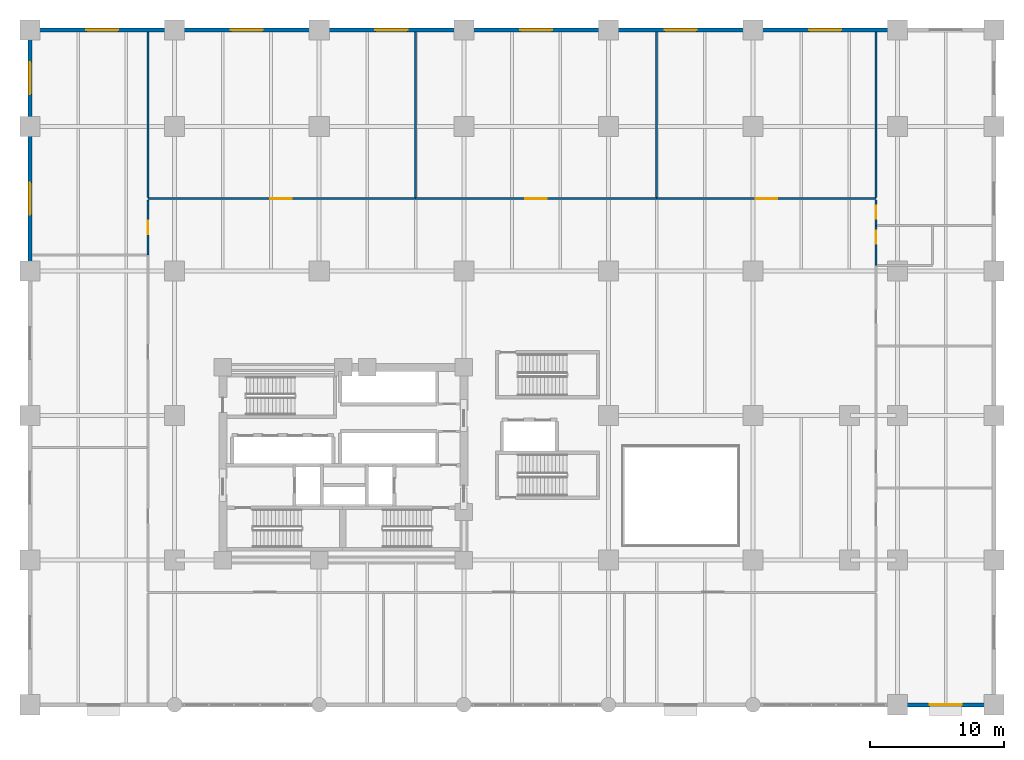
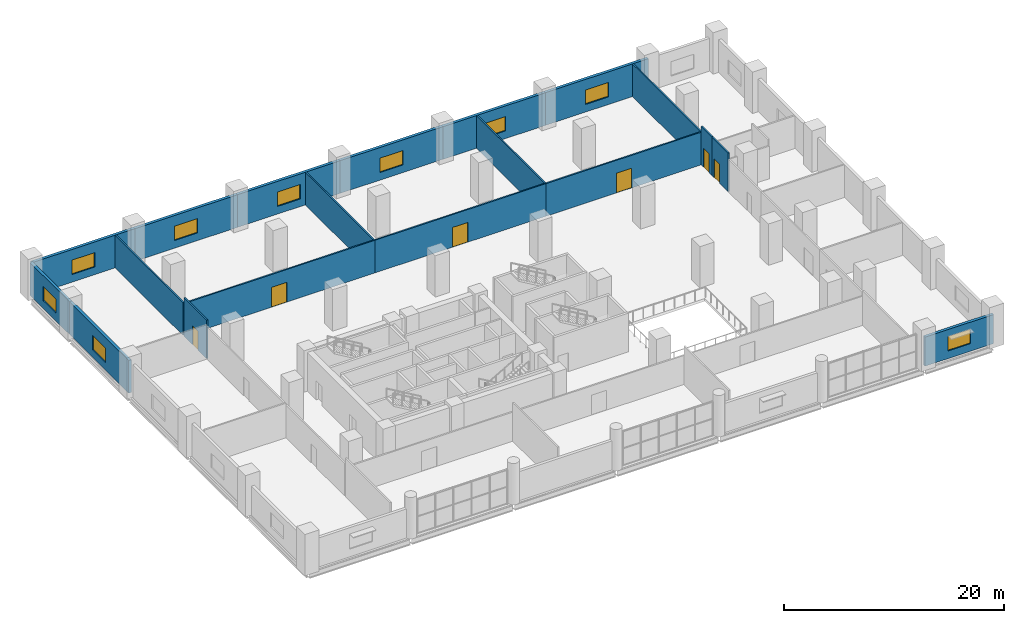
# One storey, part 12 of 16: 19 walls, 9 windows, 6 doors, 15 openings.
"""IFC4 building model written with IfcOpenShell, lengths in metres."""

from ifc_helpers import new_model, si_unit, direction, frame, frame_2d, origin, place, context, subcontext, project, spatial, rectangle, extrude, material, layer, layer_set, type_object, element, fill, save


model = new_model("IFC4")

# Units and contexts
model_context = context("Model", 3, precision=1e-05, world=origin(), true_north=direction((0.0, 1.0)))
body_context = subcontext(model_context, "Body", "Model", "MODEL_VIEW")
ifc_project = project(units=[si_unit("LENGTHUNIT", "METRE"), si_unit("AREAUNIT", "SQUARE_METRE"), si_unit("VOLUMEUNIT", "CUBIC_METRE"), si_unit("PLANEANGLEUNIT", "RADIAN"), si_unit("MASSUNIT", "GRAM", prefix="KILO")], contexts=[model_context])

# Site, building, storey
site_placement = place(None, origin())
site = spatial("IfcSite", under=ifc_project, at=site_placement, CompositionType="ELEMENT")
building_placement = place(site_placement, origin())
building = spatial("IfcBuilding", under=site, at=building_placement, Name="Solnavia Interchange Tower", CompositionType="ELEMENT")
storey_placement = place(building_placement, frame((0.0, 0.0, 10.199951171875)))
storey = spatial("IfcBuildingStorey", under=building, at=storey_placement, Name="L02", CompositionType="ELEMENT", Elevation=10.199951171875)

# Wall, opening, window
ifc_material_1 = material(Name="Concrete C40/50", Category="concrete")
ifc_layer_1 = layer(ifc_material_1, 0.300048828125)
ifc_layer_set_1 = layer_set([ifc_layer_1], Name="Concrete C40/50")
wall_type_1 = type_object("IfcWallType", Name="Wall-ExtSpandrel-300", PredefinedType="STANDARD", material=ifc_layer_set_1)
wall_1_placement = place(storey_placement, frame((72.0, 0.0, 0.0), z_axis=(0.0, 0.0, 1.0), x_axis=(-1.0, 0.0, 0.0)))
wall_1 = element("IfcWall", 1, at=wall_1_placement, inside=storey, type_object=wall_type_1, Name="EXW-L02-S07 South podium wall", PredefinedType="STANDARD", context=body_context, shape_type="SweptSolid", body=[
    extrude(rectangle(XDim=7.199951171875, YDim=0.300048828125, at=frame_2d((3.60009765625, 0.0))), origin(), (0.0, 0.0, 1.0), 3.22998046875),
])
opening_1_placement = place(wall_1_placement, frame((2.39990234375, 0.0, 0.85009765625)))
opening_1 = element("IfcOpeningElement", 2, at=opening_1_placement, cuts=wall_1, Name="Opening WIN-06", PredefinedType="OPENING", context=body_context, shape_type="SweptSolid", body=[
    extrude(rectangle(XDim=2.39990234375, YDim=1.60009765625, at=frame_2d((1.199951171875, 0.800048828125))), frame((0.0, 0.16015625, 0.0), z_axis=(0.0, -1.0, 0.0), x_axis=(1.0, 0.0, 0.0)), (0.0, 0.0, 1.0), 0.320068359375),
])
ifc_material_2 = material(Name="Thermal-Break Aluminium & Low-E Glass", Category="aluminium")
window_type = type_object("IfcWindowType", Name="Window-Podium-2400x1600", PartitioningType="SINGLE_PANEL", PredefinedType="WINDOW", material=ifc_material_2)
window_1_placement = place(opening_1_placement, origin())
window_1 = element("IfcWindow", 3, at=window_1_placement, inside=storey, type_object=window_type, Name="WIN-L02-S07 South podium window", OverallHeight=1.60009765625, OverallWidth=2.39990234375, PartitioningType="SINGLE_PANEL", PredefinedType="WINDOW", context=body_context, shape_type="SweptSolid", body=[
    extrude(rectangle(XDim=2.39990234375, YDim=1.60009765625, at=frame_2d((1.199951171875, 0.800048828125))), frame((0.0, 0.030029296875, 0.0), z_axis=(0.0, -1.0, 0.0), x_axis=(1.0, 0.0, 0.0)), (0.0, 0.0, 1.0), 0.06005859375),
])
fill(opening_1, window_1)

wall_2_placement = place(storey_placement, frame((0.0, 50.39990234375, 0.0), z_axis=(0.0, 0.0, 1.0), x_axis=(1.0, 0.0, 0.0)))
wall_2 = element("IfcWall", 4, at=wall_2_placement, inside=storey, type_object=wall_type_1, Name="EXW-L02-N01 North podium wall", PredefinedType="STANDARD", context=body_context, shape_type="SweptSolid", body=[
    extrude(rectangle(XDim=10.800048828125, YDim=0.300048828125, at=frame_2d((5.39990234375, 0.0))), origin(), (0.0, 0.0, 1.0), 3.630126953125),
])
opening_2_placement = place(wall_2_placement, frame((4.199951171875, 0.0, 0.85009765625)))
opening_2 = element("IfcOpeningElement", 5, at=opening_2_placement, cuts=wall_2, Name="Opening WIN-06", PredefinedType="OPENING", context=body_context, shape_type="SweptSolid", body=[
    extrude(rectangle(XDim=2.39990234375, YDim=1.60009765625, at=frame_2d((1.199951171875, 0.800048828125))), frame((0.0, 0.16015625, 0.0), z_axis=(0.0, -1.0, 0.0), x_axis=(1.0, 0.0, 0.0)), (0.0, 0.0, 1.0), 0.320068359375),
])
window_2_placement = place(opening_2_placement, origin())
window_2 = element("IfcWindow", 6, at=window_2_placement, inside=storey, type_object=window_type, Name="WIN-L02-N01 North podium window", OverallHeight=1.60009765625, OverallWidth=2.39990234375, PartitioningType="SINGLE_PANEL", PredefinedType="WINDOW", context=body_context, shape_type="SweptSolid", body=[
    extrude(rectangle(XDim=2.39990234375, YDim=1.60009765625, at=frame_2d((1.199951171875, 0.800048828125))), frame((0.0, 0.030029296875, 0.0), z_axis=(0.0, -1.0, 0.0), x_axis=(1.0, 0.0, 0.0)), (0.0, 0.0, 1.0), 0.06005859375),
])
fill(opening_2, window_2)

wall_3_placement = place(storey_placement, frame((10.800048828125, 50.39990234375, 0.0), z_axis=(0.0, 0.0, 1.0), x_axis=(1.0, 0.0, 0.0)))
wall_3 = element("IfcWall", 7, at=wall_3_placement, inside=storey, type_object=wall_type_1, Name="EXW-L02-N02 North podium wall", PredefinedType="STANDARD", context=body_context, shape_type="SweptSolid", body=[
    extrude(rectangle(XDim=10.800048828125, YDim=0.300048828125, at=frame_2d((5.39990234375, 0.0))), origin(), (0.0, 0.0, 1.0), 3.630126953125),
])
opening_3_placement = place(wall_3_placement, frame((4.199951171875, 0.0, 0.85009765625)))
opening_3 = element("IfcOpeningElement", 8, at=opening_3_placement, cuts=wall_3, Name="Opening WIN-06", PredefinedType="OPENING", context=body_context, shape_type="SweptSolid", body=[
    extrude(rectangle(XDim=2.39990234375, YDim=1.60009765625, at=frame_2d((1.199951171875, 0.800048828125))), frame((0.0, 0.16015625, 0.0), z_axis=(0.0, -1.0, 0.0), x_axis=(1.0, 0.0, 0.0)), (0.0, 0.0, 1.0), 0.320068359375),
])
window_3_placement = place(opening_3_placement, origin())
window_3 = element("IfcWindow", 9, at=window_3_placement, inside=storey, type_object=window_type, Name="WIN-L02-N02 North podium window", OverallHeight=1.60009765625, OverallWidth=2.39990234375, PartitioningType="SINGLE_PANEL", PredefinedType="WINDOW", context=body_context, shape_type="SweptSolid", body=[
    extrude(rectangle(XDim=2.39990234375, YDim=1.60009765625, at=frame_2d((1.199951171875, 0.800048828125))), frame((0.0, 0.030029296875, 0.0), z_axis=(0.0, -1.0, 0.0), x_axis=(1.0, 0.0, 0.0)), (0.0, 0.0, 1.0), 0.06005859375),
])
fill(opening_3, window_3)

wall_4_placement = place(storey_placement, frame((21.60009765625, 50.39990234375, 0.0), z_axis=(0.0, 0.0, 1.0), x_axis=(1.0, 0.0, 0.0)))
wall_4 = element("IfcWall", 10, at=wall_4_placement, inside=storey, type_object=wall_type_1, Name="EXW-L02-N03 North podium wall", PredefinedType="STANDARD", context=body_context, shape_type="SweptSolid", body=[
    extrude(rectangle(XDim=10.7998046875, YDim=0.300048828125, at=frame_2d((5.39990234375, 0.0))), origin(), (0.0, 0.0, 1.0), 3.630126953125),
])
opening_4_placement = place(wall_4_placement, frame((4.199951171875, 0.0, 0.85009765625)))
opening_4 = element("IfcOpeningElement", 11, at=opening_4_placement, cuts=wall_4, Name="Opening WIN-06", PredefinedType="OPENING", context=body_context, shape_type="SweptSolid", body=[
    extrude(rectangle(XDim=2.39990234375, YDim=1.60009765625, at=frame_2d((1.199951171875, 0.800048828125))), frame((0.0, 0.16015625, 0.0), z_axis=(0.0, -1.0, 0.0), x_axis=(1.0, 0.0, 0.0)), (0.0, 0.0, 1.0), 0.320068359375),
])
window_4_placement = place(opening_4_placement, origin())
window_4 = element("IfcWindow", 12, at=window_4_placement, inside=storey, type_object=window_type, Name="WIN-L02-N03 North podium window", OverallHeight=1.60009765625, OverallWidth=2.39990234375, PartitioningType="SINGLE_PANEL", PredefinedType="WINDOW", context=body_context, shape_type="SweptSolid", body=[
    extrude(rectangle(XDim=2.39990234375, YDim=1.60009765625, at=frame_2d((1.199951171875, 0.800048828125))), frame((0.0, 0.030029296875, 0.0), z_axis=(0.0, -1.0, 0.0), x_axis=(1.0, 0.0, 0.0)), (0.0, 0.0, 1.0), 0.06005859375),
])
fill(opening_4, window_4)

wall_5_placement = place(storey_placement, frame((32.39990234375, 50.39990234375, 0.0), z_axis=(0.0, 0.0, 1.0), x_axis=(1.0, 0.0, 0.0)))
wall_5 = element("IfcWall", 13, at=wall_5_placement, inside=storey, type_object=wall_type_1, Name="EXW-L02-N04 North podium wall", PredefinedType="STANDARD", context=body_context, shape_type="SweptSolid", body=[
    extrude(rectangle(XDim=10.800048828125, YDim=0.300048828125, at=frame_2d((5.39990234375, 0.0))), origin(), (0.0, 0.0, 1.0), 3.630126953125),
])
opening_5_placement = place(wall_5_placement, frame((4.199951171875, 0.0, 0.85009765625)))
opening_5 = element("IfcOpeningElement", 14, at=opening_5_placement, cuts=wall_5, Name="Opening WIN-06", PredefinedType="OPENING", context=body_context, shape_type="SweptSolid", body=[
    extrude(rectangle(XDim=2.39990234375, YDim=1.60009765625, at=frame_2d((1.199951171875, 0.800048828125))), frame((0.0, 0.16015625, 0.0), z_axis=(0.0, -1.0, 0.0), x_axis=(1.0, 0.0, 0.0)), (0.0, 0.0, 1.0), 0.320068359375),
])
window_5_placement = place(opening_5_placement, origin())
window_5 = element("IfcWindow", 15, at=window_5_placement, inside=storey, type_object=window_type, Name="WIN-L02-N04 North podium window", OverallHeight=1.60009765625, OverallWidth=2.39990234375, PartitioningType="SINGLE_PANEL", PredefinedType="WINDOW", context=body_context, shape_type="SweptSolid", body=[
    extrude(rectangle(XDim=2.39990234375, YDim=1.60009765625, at=frame_2d((1.199951171875, 0.800048828125))), frame((0.0, 0.030029296875, 0.0), z_axis=(0.0, -1.0, 0.0), x_axis=(1.0, 0.0, 0.0)), (0.0, 0.0, 1.0), 0.06005859375),
])
fill(opening_5, window_5)

wall_6_placement = place(storey_placement, frame((43.199951171875, 50.39990234375, 0.0), z_axis=(0.0, 0.0, 1.0), x_axis=(1.0, 0.0, 0.0)))
wall_6 = element("IfcWall", 16, at=wall_6_placement, inside=storey, type_object=wall_type_1, Name="EXW-L02-N05 North podium wall", PredefinedType="STANDARD", context=body_context, shape_type="SweptSolid", body=[
    extrude(rectangle(XDim=10.800048828125, YDim=0.300048828125, at=frame_2d((5.39990234375, 0.0))), origin(), (0.0, 0.0, 1.0), 3.630126953125),
])
opening_6_placement = place(wall_6_placement, frame((4.199951171875, 0.0, 0.85009765625)))
opening_6 = element("IfcOpeningElement", 17, at=opening_6_placement, cuts=wall_6, Name="Opening WIN-06", PredefinedType="OPENING", context=body_context, shape_type="SweptSolid", body=[
    extrude(rectangle(XDim=2.39990234375, YDim=1.60009765625, at=frame_2d((1.199951171875, 0.800048828125))), frame((0.0, 0.16015625, 0.0), z_axis=(0.0, -1.0, 0.0), x_axis=(1.0, 0.0, 0.0)), (0.0, 0.0, 1.0), 0.320068359375),
])
window_6_placement = place(opening_6_placement, origin())
window_6 = element("IfcWindow", 18, at=window_6_placement, inside=storey, type_object=window_type, Name="WIN-L02-N05 North podium window", OverallHeight=1.60009765625, OverallWidth=2.39990234375, PartitioningType="SINGLE_PANEL", PredefinedType="WINDOW", context=body_context, shape_type="SweptSolid", body=[
    extrude(rectangle(XDim=2.39990234375, YDim=1.60009765625, at=frame_2d((1.199951171875, 0.800048828125))), frame((0.0, 0.030029296875, 0.0), z_axis=(0.0, -1.0, 0.0), x_axis=(1.0, 0.0, 0.0)), (0.0, 0.0, 1.0), 0.06005859375),
])
fill(opening_6, window_6)

wall_7_placement = place(storey_placement, frame((54.0, 50.39990234375, 0.0), z_axis=(0.0, 0.0, 1.0), x_axis=(1.0, 0.0, 0.0)))
wall_7 = element("IfcWall", 19, at=wall_7_placement, inside=storey, type_object=wall_type_1, Name="EXW-L02-N06 North podium wall", PredefinedType="STANDARD", context=body_context, shape_type="SweptSolid", body=[
    extrude(rectangle(XDim=10.800048828125, YDim=0.300048828125, at=frame_2d((5.39990234375, 0.0))), origin(), (0.0, 0.0, 1.0), 3.630126953125),
])
opening_7_placement = place(wall_7_placement, frame((4.199951171875, 0.0, 0.85009765625)))
opening_7 = element("IfcOpeningElement", 20, at=opening_7_placement, cuts=wall_7, Name="Opening WIN-06", PredefinedType="OPENING", context=body_context, shape_type="SweptSolid", body=[
    extrude(rectangle(XDim=2.39990234375, YDim=1.60009765625, at=frame_2d((1.199951171875, 0.800048828125))), frame((0.0, 0.16015625, 0.0), z_axis=(0.0, -1.0, 0.0), x_axis=(1.0, 0.0, 0.0)), (0.0, 0.0, 1.0), 0.320068359375),
])
window_7_placement = place(opening_7_placement, origin())
window_7 = element("IfcWindow", 21, at=window_7_placement, inside=storey, type_object=window_type, Name="WIN-L02-N06 North podium window", OverallHeight=1.60009765625, OverallWidth=2.39990234375, PartitioningType="SINGLE_PANEL", PredefinedType="WINDOW", context=body_context, shape_type="SweptSolid", body=[
    extrude(rectangle(XDim=2.39990234375, YDim=1.60009765625, at=frame_2d((1.199951171875, 0.800048828125))), frame((0.0, 0.030029296875, 0.0), z_axis=(0.0, -1.0, 0.0), x_axis=(1.0, 0.0, 0.0)), (0.0, 0.0, 1.0), 0.06005859375),
])
fill(opening_7, window_7)

wall_8_placement = place(storey_placement, frame((0.0, 32.39990234375, 0.0), z_axis=(0.0, 0.0, 1.0), x_axis=(0.0, 1.0, 0.0)))
wall_8 = element("IfcWall", 22, at=wall_8_placement, inside=storey, type_object=wall_type_1, Name="EXW-L02-W04 West podium wall", PredefinedType="STANDARD", context=body_context, shape_type="SweptSolid", body=[
    extrude(rectangle(XDim=10.800048828125, YDim=0.300048828125, at=frame_2d((5.39990234375, 0.0))), origin(), (0.0, 0.0, 1.0), 3.630126953125),
])
opening_8_placement = place(wall_8_placement, frame((4.199951171875, 0.0, 0.85009765625)))
opening_8 = element("IfcOpeningElement", 23, at=opening_8_placement, cuts=wall_8, Name="Opening WIN-06", PredefinedType="OPENING", context=body_context, shape_type="SweptSolid", body=[
    extrude(rectangle(XDim=2.39990234375, YDim=1.60009765625, at=frame_2d((1.199951171875, 0.800048828125))), frame((0.0, 0.16015625, 0.0), z_axis=(0.0, -1.0, 0.0), x_axis=(1.0, 0.0, 0.0)), (0.0, 0.0, 1.0), 0.320068359375),
])
window_8_placement = place(opening_8_placement, origin())
window_8 = element("IfcWindow", 24, at=window_8_placement, inside=storey, type_object=window_type, Name="WIN-L02-W04 West podium window", OverallHeight=1.60009765625, OverallWidth=2.39990234375, PartitioningType="SINGLE_PANEL", PredefinedType="WINDOW", context=body_context, shape_type="SweptSolid", body=[
    extrude(rectangle(XDim=2.39990234375, YDim=1.60009765625, at=frame_2d((1.199951171875, 0.800048828125))), frame((0.0, 0.030029296875, 0.0), z_axis=(0.0, -1.0, 0.0), x_axis=(1.0, 0.0, 0.0)), (0.0, 0.0, 1.0), 0.06005859375),
])
fill(opening_8, window_8)

wall_9_placement = place(storey_placement, frame((0.0, 43.199951171875, 0.0), z_axis=(0.0, 0.0, 1.0), x_axis=(0.0, 1.0, 0.0)))
wall_9 = element("IfcWall", 25, at=wall_9_placement, inside=storey, type_object=wall_type_1, Name="EXW-L02-W05 West podium wall", PredefinedType="STANDARD", context=body_context, shape_type="SweptSolid", body=[
    extrude(rectangle(XDim=7.199951171875, YDim=0.300048828125, at=frame_2d((3.60009765625, 0.0))), origin(), (0.0, 0.0, 1.0), 3.630126953125),
])
opening_9_placement = place(wall_9_placement, frame((2.39990234375, 0.0, 0.85009765625)))
opening_9 = element("IfcOpeningElement", 26, at=opening_9_placement, cuts=wall_9, Name="Opening WIN-06", PredefinedType="OPENING", context=body_context, shape_type="SweptSolid", body=[
    extrude(rectangle(XDim=2.39990234375, YDim=1.60009765625, at=frame_2d((1.199951171875, 0.800048828125))), frame((0.0, 0.16015625, 0.0), z_axis=(0.0, -1.0, 0.0), x_axis=(1.0, 0.0, 0.0)), (0.0, 0.0, 1.0), 0.320068359375),
])
window_9_placement = place(opening_9_placement, origin())
window_9 = element("IfcWindow", 27, at=window_9_placement, inside=storey, type_object=window_type, Name="WIN-L02-W05 West podium window", OverallHeight=1.60009765625, OverallWidth=2.39990234375, PartitioningType="SINGLE_PANEL", PredefinedType="WINDOW", context=body_context, shape_type="SweptSolid", body=[
    extrude(rectangle(XDim=2.39990234375, YDim=1.60009765625, at=frame_2d((1.199951171875, 0.800048828125))), frame((0.0, 0.030029296875, 0.0), z_axis=(0.0, -1.0, 0.0), x_axis=(1.0, 0.0, 0.0)), (0.0, 0.0, 1.0), 0.06005859375),
])
fill(opening_9, window_9)

# Wall, opening, door
ifc_material_3 = material(Name="Gypsum Plasterboard & Steel Stud", Category="steel")
ifc_layer_2 = layer(ifc_material_3, 0.14990234375)
ifc_layer_set_2 = layer_set([ifc_layer_2], Name="Gypsum Plasterboard & Steel Stud")
wall_type_2 = type_object("IfcWallType", Name="Wall-Partition-150", PredefinedType="PARTITIONING", material=ifc_layer_set_2)
wall_10_placement = place(storey_placement, frame((8.800048828125, 37.800048828125, 0.0), z_axis=(0.0, 0.0, 1.0), x_axis=(1.0, 0.0, 0.0)))
wall_10 = element("IfcWall", 28, at=wall_10_placement, inside=storey, type_object=wall_type_2, Name="PTW-L02-06 Interior partition wall", PredefinedType="PARTITIONING", context=body_context, shape_type="SweptSolid", body=[
    extrude(rectangle(XDim=20.0, YDim=0.14990234375, at=frame_2d((10.0, 0.0))), origin(), (0.0, 0.0, 1.0), 3.630126953125),
])
opening_10_placement = place(wall_10_placement, frame((9.159912109375, 0.0, 0.0)))
opening_10 = element("IfcOpeningElement", 29, at=opening_10_placement, cuts=wall_10, Name="Opening DR-08", PredefinedType="OPENING", context=body_context, shape_type="SweptSolid", body=[
    extrude(rectangle(XDim=1.60009765625, YDim=2.199951171875, at=frame_2d((0.800048828125, 1.10009765625))), frame((0.0, 0.0849609375, 0.0), z_axis=(0.0, -1.0, 0.0), x_axis=(1.0, 0.0, 0.0)), (0.0, 0.0, 1.0), 0.169921875),
])
ifc_material_4 = material(Name="Thermally Broken Aluminium & Toughened Glass", Category="aluminium")
door_type_1 = type_object("IfcDoorType", Name="Door-RetailDouble-1600x2200", OperationType="DOUBLE_DOOR_SINGLE_SWING", PredefinedType="DOOR", material=ifc_material_4)
door_1_placement = place(opening_10_placement, origin())
door_1 = element("IfcDoor", 30, at=door_1_placement, inside=storey, type_object=door_type_1, Name="DR-L02-04 Interior room door", OperationType="DOUBLE_DOOR_SINGLE_SWING", OverallHeight=2.199951171875, OverallWidth=1.60009765625, PredefinedType="DOOR", context=body_context, shape_type="SweptSolid", body=[
    extrude(rectangle(XDim=1.60009765625, YDim=2.199951171875, at=frame_2d((0.800048828125, 1.10009765625))), frame((0.0, 0.02490234375, 0.0), z_axis=(0.0, -1.0, 0.0), x_axis=(1.0, 0.0, 0.0)), (0.0, 0.0, 1.0), 0.050048828125),
])
fill(opening_10, door_1)

# Wall
wall_11_placement = place(storey_placement, frame((28.800048828125, 37.87890625, 0.0), z_axis=(0.0, 0.0, 1.0), x_axis=(0.0, 1.0, 0.0)))
element("IfcWall", 31, at=wall_11_placement, inside=storey, type_object=wall_type_2, Name="PTW-L02-07 Interior partition wall", PredefinedType="PARTITIONING", context=body_context, shape_type="SweptSolid", body=[
    extrude(rectangle(XDim=12.3671875, YDim=0.14990234375, at=frame_2d((6.18359375, 0.0))), origin(), (0.0, 0.0, 1.0), 3.630126953125),
])

# Wall, opening, door
wall_12_placement = place(storey_placement, frame((28.800048828125, 37.800048828125, 0.0), z_axis=(0.0, 0.0, 1.0), x_axis=(1.0, 0.0, 0.0)))
wall_12 = element("IfcWall", 32, at=wall_12_placement, inside=storey, type_object=wall_type_2, Name="PTW-L02-08 Interior partition wall", PredefinedType="PARTITIONING", context=body_context, shape_type="SweptSolid", body=[
    extrude(rectangle(XDim=18.0, YDim=0.14990234375, at=frame_2d((9.0, 0.0))), origin(), (0.0, 0.0, 1.0), 3.630126953125),
])
opening_11_placement = place(wall_12_placement, frame((8.199951171875, 0.0, 0.0)))
opening_11 = element("IfcOpeningElement", 33, at=opening_11_placement, cuts=wall_12, Name="Opening DR-08", PredefinedType="OPENING", context=body_context, shape_type="SweptSolid", body=[
    extrude(rectangle(XDim=1.60009765625, YDim=2.199951171875, at=frame_2d((0.800048828125, 1.10009765625))), frame((0.0, 0.0849609375, 0.0), z_axis=(0.0, -1.0, 0.0), x_axis=(1.0, 0.0, 0.0)), (0.0, 0.0, 1.0), 0.169921875),
])
door_2_placement = place(opening_11_placement, origin())
door_2 = element("IfcDoor", 34, at=door_2_placement, inside=storey, type_object=door_type_1, Name="DR-L02-05 Interior room door", OperationType="DOUBLE_DOOR_SINGLE_SWING", OverallHeight=2.199951171875, OverallWidth=1.60009765625, PredefinedType="DOOR", context=body_context, shape_type="SweptSolid", body=[
    extrude(rectangle(XDim=1.60009765625, YDim=2.199951171875, at=frame_2d((0.800048828125, 1.10009765625))), frame((0.0, 0.02490234375, 0.0), z_axis=(0.0, -1.0, 0.0), x_axis=(1.0, 0.0, 0.0)), (0.0, 0.0, 1.0), 0.050048828125),
])
fill(opening_11, door_2)

# Wall
wall_13_placement = place(storey_placement, frame((46.800048828125, 37.87890625, 0.0), z_axis=(0.0, 0.0, 1.0), x_axis=(0.0, 1.0, 0.0)))
element("IfcWall", 35, at=wall_13_placement, inside=storey, type_object=wall_type_2, Name="PTW-L02-09 Interior partition wall", PredefinedType="PARTITIONING", context=body_context, shape_type="SweptSolid", body=[
    extrude(rectangle(XDim=12.3671875, YDim=0.14990234375, at=frame_2d((6.18359375, 0.0))), origin(), (0.0, 0.0, 1.0), 3.630126953125),
])

# Wall, opening, door
wall_14_placement = place(storey_placement, frame((46.800048828125, 37.800048828125, 0.0), z_axis=(0.0, 0.0, 1.0), x_axis=(1.0, 0.0, 0.0)))
wall_14 = element("IfcWall", 36, at=wall_14_placement, inside=storey, type_object=wall_type_2, Name="PTW-L02-10 Interior partition wall", PredefinedType="PARTITIONING", context=body_context, shape_type="SweptSolid", body=[
    extrude(rectangle(XDim=16.39990234375, YDim=0.14990234375, at=frame_2d((8.199951171875, 0.0))), origin(), (0.0, 0.0, 1.0), 3.630126953125),
])
opening_12_placement = place(wall_14_placement, frame((7.39990234375, 0.0, 0.0)))
opening_12 = element("IfcOpeningElement", 37, at=opening_12_placement, cuts=wall_14, Name="Opening DR-08", PredefinedType="OPENING", context=body_context, shape_type="SweptSolid", body=[
    extrude(rectangle(XDim=1.60009765625, YDim=2.199951171875, at=frame_2d((0.800048828125, 1.10009765625))), frame((0.0, 0.0849609375, 0.0), z_axis=(0.0, -1.0, 0.0), x_axis=(1.0, 0.0, 0.0)), (0.0, 0.0, 1.0), 0.169921875),
])
door_3_placement = place(opening_12_placement, origin())
door_3 = element("IfcDoor", 38, at=door_3_placement, inside=storey, type_object=door_type_1, Name="DR-L02-06 Interior room door", OperationType="DOUBLE_DOOR_SINGLE_SWING", OverallHeight=2.199951171875, OverallWidth=1.60009765625, PredefinedType="DOOR", context=body_context, shape_type="SweptSolid", body=[
    extrude(rectangle(XDim=1.60009765625, YDim=2.199951171875, at=frame_2d((0.800048828125, 1.10009765625))), frame((0.0, 0.02490234375, 0.0), z_axis=(0.0, -1.0, 0.0), x_axis=(1.0, 0.0, 0.0)), (0.0, 0.0, 1.0), 0.050048828125),
])
fill(opening_12, door_3)

wall_15_placement = place(storey_placement, frame((8.800048828125, 33.60009765625, 0.0), z_axis=(0.0, 0.0, 1.0), x_axis=(0.0, 1.0, 0.0)))
wall_15 = element("IfcWall", 39, at=wall_15_placement, inside=storey, type_object=wall_type_2, Name="PTW-L02-16 Interior partition wall", PredefinedType="PARTITIONING", context=body_context, shape_type="SweptSolid", body=[
    extrude(rectangle(XDim=4.120849609375, YDim=0.14990234375, at=frame_2d((2.060546875, 0.0))), origin(), (0.0, 0.0, 1.0), 4.28515625),
])
opening_13_placement = place(wall_15_placement, frame((1.56103515625, 0.0, 0.0)))
opening_13 = element("IfcOpeningElement", 40, at=opening_13_placement, cuts=wall_15, Name="Opening DR-07", PredefinedType="OPENING", context=body_context, shape_type="SweptSolid", body=[
    extrude(rectangle(XDim=1.0, YDim=2.10009765625, at=frame_2d((0.5, 1.050048828125))), frame((0.0, 0.0849609375, 0.0), z_axis=(0.0, -1.0, 0.0), x_axis=(1.0, 0.0, 0.0)), (0.0, 0.0, 1.0), 0.169921875),
])
ifc_material_5 = material(Name="Timber & Acoustic Glazed Office Door", Category="wood")
door_type_2 = type_object("IfcDoorType", Name="Door-Office-1000x2100", OperationType="SINGLE_SWING_RIGHT", PredefinedType="DOOR", material=ifc_material_5)
door_4_placement = place(opening_13_placement, origin())
door_4 = element("IfcDoor", 41, at=door_4_placement, inside=storey, type_object=door_type_2, Name="DR-L02-09 Interior room door", OperationType="SINGLE_SWING_LEFT", OverallHeight=2.10009765625, OverallWidth=1.0, PredefinedType="DOOR", context=body_context, shape_type="SweptSolid", body=[
    extrude(rectangle(XDim=1.0, YDim=2.10009765625, at=frame_2d((0.5, 1.050048828125))), frame((0.0, 0.02490234375, 0.0), z_axis=(0.0, -1.0, 0.0), x_axis=(1.0, 0.0, 0.0)), (0.0, 0.0, 1.0), 0.050048828125),
])
fill(opening_13, door_4)

# Wall
wall_16_placement = place(storey_placement, frame((8.800048828125, 37.87890625, 0.0), z_axis=(0.0, 0.0, 1.0), x_axis=(0.0, 1.0, 0.0)))
element("IfcWall", 42, at=wall_16_placement, inside=storey, type_object=wall_type_2, Name="PTW-L02-17 Interior partition wall", PredefinedType="PARTITIONING", context=body_context, shape_type="SweptSolid", body=[
    extrude(rectangle(XDim=12.3671875, YDim=0.14990234375, at=frame_2d((6.18359375, 0.0))), origin(), (0.0, 0.0, 1.0), 3.630126953125),
])

# Wall, opening, door
wall_17_placement = place(storey_placement, frame((63.199951171875, 35.800048828125, 0.0), z_axis=(0.0, 0.0, 1.0), x_axis=(0.0, 1.0, 0.0)))
wall_17 = element("IfcWall", 43, at=wall_17_placement, inside=storey, type_object=wall_type_2, Name="PTW-L02-28 Interior partition wall", PredefinedType="PARTITIONING", context=body_context, shape_type="SweptSolid", body=[
    extrude(rectangle(XDim=1.9208984375, YDim=0.14990234375, at=frame_2d((0.96044921875, 0.0))), origin(), (0.0, 0.0, 1.0), 4.28515625),
])
opening_14_placement = place(wall_17_placement, frame((0.490966796875, 0.0, 0.0)))
opening_14 = element("IfcOpeningElement", 44, at=opening_14_placement, cuts=wall_17, Name="Opening DR-07", PredefinedType="OPENING", context=body_context, shape_type="SweptSolid", body=[
    extrude(rectangle(XDim=1.0, YDim=2.10009765625, at=frame_2d((0.5, 1.050048828125))), frame((0.0, 0.0849609375, 0.0), z_axis=(0.0, -1.0, 0.0), x_axis=(1.0, 0.0, 0.0)), (0.0, 0.0, 1.0), 0.169921875),
])
door_5_placement = place(opening_14_placement, origin())
door_5 = element("IfcDoor", 45, at=door_5_placement, inside=storey, type_object=door_type_2, Name="DR-L02-14 Interior room door", OperationType="SINGLE_SWING_LEFT", OverallHeight=2.10009765625, OverallWidth=1.0, PredefinedType="DOOR", context=body_context, shape_type="SweptSolid", body=[
    extrude(rectangle(XDim=1.0, YDim=2.10009765625, at=frame_2d((0.5, 1.050048828125))), frame((0.0, 0.02490234375, 0.0), z_axis=(0.0, -1.0, 0.0), x_axis=(1.0, 0.0, 0.0)), (0.0, 0.0, 1.0), 0.050048828125),
])
fill(opening_14, door_5)

# Wall
wall_18_placement = place(storey_placement, frame((63.199951171875, 37.87890625, 0.0), z_axis=(0.0, 0.0, 1.0), x_axis=(0.0, 1.0, 0.0)))
element("IfcWall", 46, at=wall_18_placement, inside=storey, type_object=wall_type_2, Name="PTW-L02-29 Interior partition wall", PredefinedType="PARTITIONING", context=body_context, shape_type="SweptSolid", body=[
    extrude(rectangle(XDim=12.3671875, YDim=0.14990234375, at=frame_2d((6.18359375, 0.0))), origin(), (0.0, 0.0, 1.0), 3.630126953125),
])

# Wall, opening, door
ifc_material_6 = material(Name="Moisture-Resistant Gypsum & Steel Stud", Category="steel")
ifc_layer_3 = layer(ifc_material_6, 0.14990234375)
ifc_layer_set_3 = layer_set([ifc_layer_3], Name="Moisture-Resistant Gypsum & Steel Stud")
wall_type_3 = type_object("IfcWallType", Name="Wall-WetRoom-150", PredefinedType="PARTITIONING", material=ifc_layer_set_3)
wall_19_placement = place(storey_placement, frame((63.199951171875, 32.800048828125, 0.0), z_axis=(0.0, 0.0, 1.0), x_axis=(0.0, 1.0, 0.0)))
wall_19 = element("IfcWall", 47, at=wall_19_placement, inside=storey, type_object=wall_type_3, Name="PTW-L02-26 Interior partition wall", PredefinedType="PARTITIONING", context=body_context, shape_type="SweptSolid", body=[
    extrude(rectangle(XDim=3.0, YDim=0.14990234375, at=frame_2d((1.5, 0.0))), origin(), (0.0, 0.0, 1.0), 4.28515625),
])
opening_15_placement = place(wall_19_placement, frame((1.6201171875, 0.0, 0.0)))
opening_15 = element("IfcOpeningElement", 48, at=opening_15_placement, cuts=wall_19, Name="Opening DR-07", PredefinedType="OPENING", context=body_context, shape_type="SweptSolid", body=[
    extrude(rectangle(XDim=1.0, YDim=2.10009765625, at=frame_2d((0.5, 1.050048828125))), frame((0.0, 0.0849609375, 0.0), z_axis=(0.0, -1.0, 0.0), x_axis=(1.0, 0.0, 0.0)), (0.0, 0.0, 1.0), 0.169921875),
])
door_6_placement = place(opening_15_placement, origin())
door_6 = element("IfcDoor", 49, at=door_6_placement, inside=storey, type_object=door_type_2, Name="DR-L02-13 Interior room door", OperationType="SINGLE_SWING_RIGHT", OverallHeight=2.10009765625, OverallWidth=1.0, PredefinedType="DOOR", context=body_context, shape_type="SweptSolid", body=[
    extrude(rectangle(XDim=1.0, YDim=2.10009765625, at=frame_2d((0.5, 1.050048828125))), frame((0.0, 0.02490234375, 0.0), z_axis=(0.0, -1.0, 0.0), x_axis=(1.0, 0.0, 0.0)), (0.0, 0.0, 1.0), 0.050048828125),
])
fill(opening_15, door_6)

save(model, "model.ifc")
